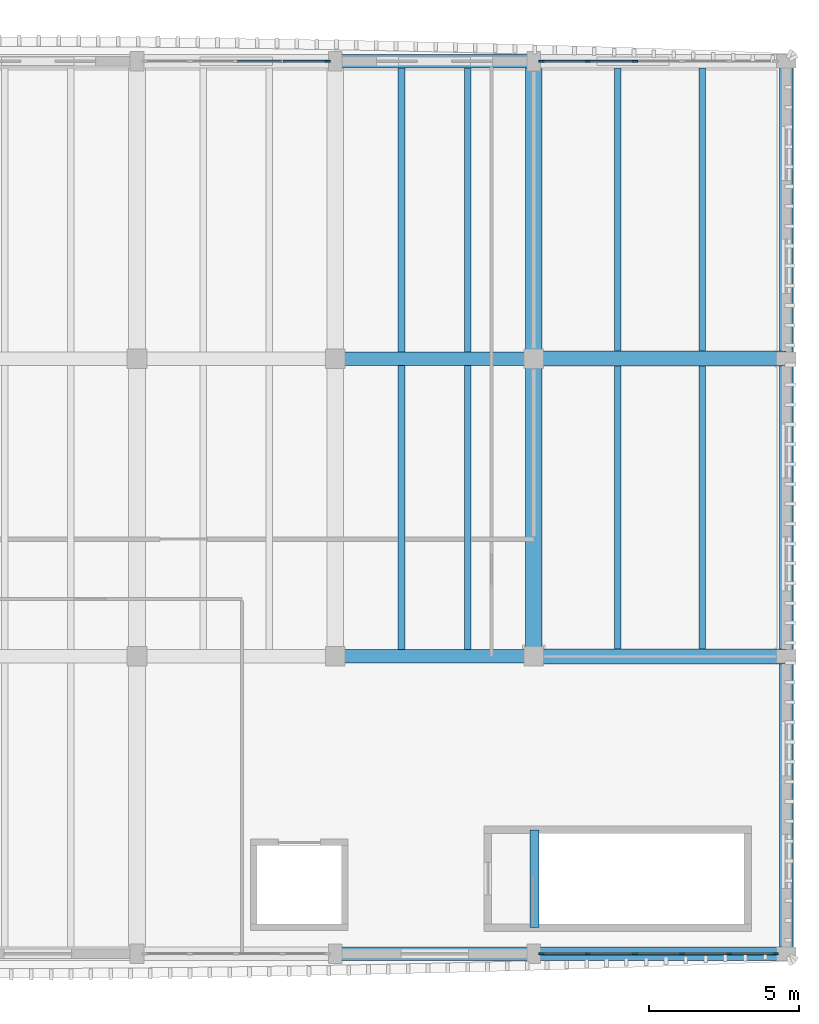
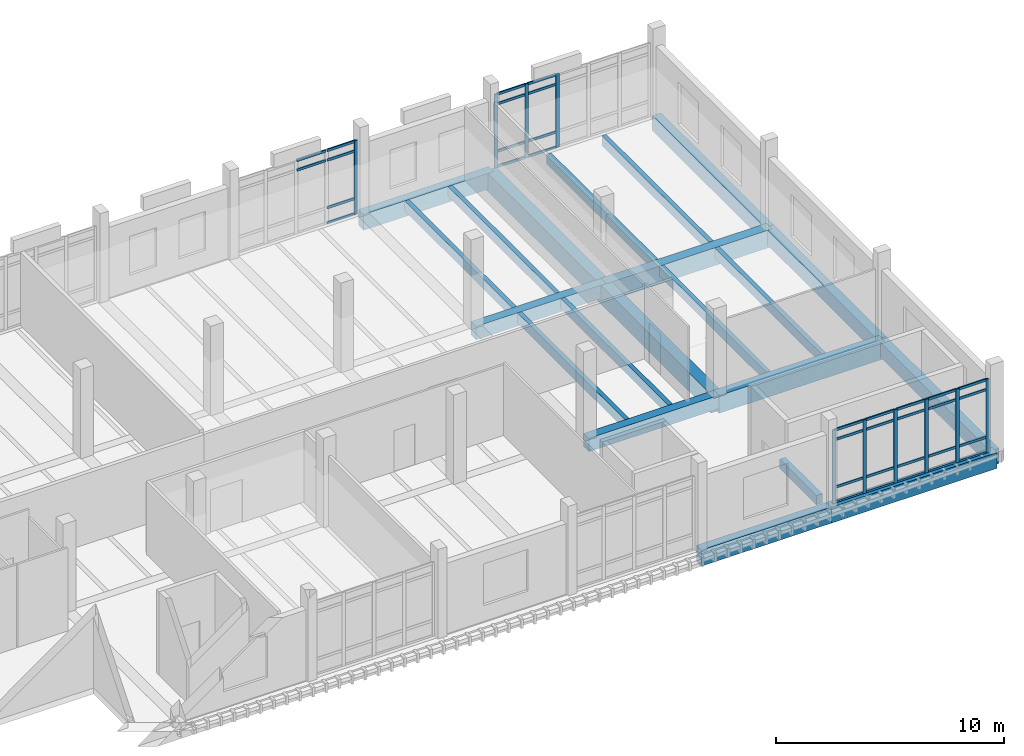
# One storey, part 12 of 37: 44 members, 21 beams, 3 elements without a shape of their own.
"""IFC4 building model written with IfcOpenShell, lengths in metres."""

from ifc_helpers import new_model, si_unit, direction, frame, origin, origin_2d, place, context, subcontext, project, spatial, rectangle, extrude, material, material_profile, profile_set, type_object, element, aggregate, save


model = new_model("IFC4")

# Units and contexts
model_context = context("Model", 3, precision=1e-05, world=origin(), true_north=direction((0.0, 1.0)))
body_context = subcontext(model_context, "Body", "Model", "MODEL_VIEW")
ifc_project = project(units=[si_unit("LENGTHUNIT", "METRE"), si_unit("AREAUNIT", "SQUARE_METRE"), si_unit("VOLUMEUNIT", "CUBIC_METRE"), si_unit("PLANEANGLEUNIT", "RADIAN"), si_unit("MASSUNIT", "GRAM", prefix="KILO")], contexts=[model_context])

# Site, building, storey
site_placement = place(None, origin())
site = spatial("IfcSite", under=ifc_project, at=site_placement, CompositionType="ELEMENT")
building_placement = place(site_placement, origin())
building = spatial("IfcBuilding", under=site, at=building_placement, Name="Dornvale Research Institute", CompositionType="ELEMENT")
storey_placement = place(building_placement, frame((0.0, 0.0, 29.39990234375)))
storey = spatial("IfcBuildingStorey", under=building, at=storey_placement, Name="L06", CompositionType="ELEMENT", Elevation=29.39990234375)

# Beams
ifc_material_1 = material(Name="Concrete f'c 45 MPa (C35/45)", Category="concrete")
ifc_material_profile_1 = material_profile(ifc_material_1, rectangle(XDim=0.300048828125, YDim=0.5, at=origin_2d()), Name="RC 300x500")
ifc_profile_set_1 = profile_set([ifc_material_profile_1], Name="Concrete f'c 45 MPa (C35/45)")
beam_type_1 = type_object("IfcBeamType", Name="Beam_RC300x500_Trim", PredefinedType="BEAM", material=ifc_profile_set_1)
beam_1_placement = place(storey_placement, frame((165.02001953125, 93.280029296875, -0.25), z_axis=(0.0, 1.0, 0.0), x_axis=(-1.0, 0.0, 0.0)))
element("IfcBeam", 1, at=beam_1_placement, inside=storey, type_object=beam_type_1, Name="L06 ST-4 stair landing trimmer beam #68", PredefinedType="BEAM", context=body_context, shape_type="SweptSolid", body=[
    extrude(rectangle(XDim=0.300048828125, YDim=0.5, at=origin_2d()), origin(), (0.0, 0.0, 1.0), 3.239990234375),
])
ifc_material_2 = material(Name="Concrete f'c 45 MPa (C35/45)", Category="concrete")
ifc_material_profile_2 = material_profile(ifc_material_2, rectangle(XDim=0.449951171875, YDim=0.715087890625, at=origin_2d()), Name="RC 450x715")
ifc_profile_set_2 = profile_set([ifc_material_profile_2], Name="Concrete f'c 45 MPa (C35/45)")
beam_type_2 = type_object("IfcBeamType", Name="Beam_RC450x715_Lab", PredefinedType="BEAM", material=ifc_profile_set_2)
for number, where, z_axis, x_axis, name in (
    (2, (158.39990234375, 102.300048828125, -0.357421875), (1.0, 0.0, 0.0), (0.0, 1.0, 0.0), "L06 primary girder #1512"),
    (3, (158.39990234375, 112.199951171875, -0.357421875), (1.0, 0.0, 0.0), (0.0, 1.0, 0.0), "L06 primary girder #1520"),
):
    element("IfcBeam", number, at=place(storey_placement, frame(where, z_axis=z_axis, x_axis=x_axis)), inside=storey, type_object=beam_type_2, Name=name, PredefinedType="BEAM", context=body_context, shape_type="SweptSolid", body=[
        extrude(rectangle(XDim=0.449951171875, YDim=0.715087890625, at=origin_2d()), origin(), (0.0, 0.0, 1.0), 6.60009765625),
    ])
ifc_material_3 = material(Name="Concrete f'c 45 MPa (C35/45)", Category="concrete")
ifc_material_profile_3 = material_profile(ifc_material_3, rectangle(XDim=0.5, YDim=0.949951171875, at=origin_2d()), Name="RC 500x950")
ifc_profile_set_3 = profile_set([ifc_material_profile_3], Name="Concrete f'c 45 MPa (C35/45)")
beam_type_3 = type_object("IfcBeamType", Name="Beam_RC500x950_Girder", PredefinedType="BEAM", material=ifc_profile_set_3)
for number, where, z_axis, x_axis, name in (
    (4, (165.0, 102.300048828125, -0.474853515625), (1.0, 0.0, 0.0), (0.0, 1.0, 0.0), "L06 primary girder #1513"),
    (5, (165.0, 112.199951171875, -0.474853515625), (1.0, 0.0, 0.0), (0.0, 1.0, 0.0), "L06 primary girder #1521"),
):
    element("IfcBeam", number, at=place(storey_placement, frame(where, z_axis=z_axis, x_axis=x_axis)), inside=storey, type_object=beam_type_3, Name=name, PredefinedType="BEAM", context=body_context, shape_type="SweptSolid", body=[
        extrude(rectangle(XDim=0.5, YDim=0.949951171875, at=origin_2d()), origin(), (0.0, 0.0, 1.0), 8.39990234375),
    ])
ifc_material_4 = material(Name="Concrete f'c 45 MPa (C35/45)", Category="concrete")
ifc_material_profile_4 = material_profile(ifc_material_4, rectangle(XDim=0.550048828125, YDim=1.0, at=origin_2d()), Name="RC 550x1000")
ifc_profile_set_4 = profile_set([ifc_material_profile_4], Name="Concrete f'c 45 MPa (C35/45)")
beam_type_4 = type_object("IfcBeamType", Name="Beam_RC550x1000_Girder", PredefinedType="BEAM", material=ifc_profile_set_4)
beam_2_placement = place(storey_placement, frame((165.0, 102.300048828125, -0.5), z_axis=(0.0, 1.0, 0.0), x_axis=(-1.0, 0.0, 0.0)))
element("IfcBeam", 6, at=beam_2_placement, inside=storey, type_object=beam_type_4, Name="L06 transverse girder #1549", PredefinedType="BEAM", context=body_context, shape_type="SweptSolid", body=[
    extrude(rectangle(XDim=0.550048828125, YDim=1.0, at=origin_2d()), origin(), (0.0, 0.0, 1.0), 9.89990234375),
])
beam_3_placement = place(storey_placement, frame((165.0, 112.199951171875, -0.5), z_axis=(0.0, 1.0, 0.0), x_axis=(-1.0, 0.0, 0.0)))
element("IfcBeam", 7, at=beam_3_placement, inside=storey, type_object=beam_type_4, Name="L06 transverse girder #1550", PredefinedType="BEAM", context=body_context, shape_type="SweptSolid", body=[
    extrude(rectangle(XDim=0.550048828125, YDim=1.0, at=origin_2d()), origin(), (0.0, 0.0, 1.0), 9.900146484375),
])
ifc_material_5 = material(Name="Concrete f'c 45 MPa (C35/45)", Category="concrete")
ifc_material_profile_5 = material_profile(ifc_material_5, rectangle(XDim=0.219970703125, YDim=0.534912109375, at=origin_2d()), Name="RC 220x535")
ifc_profile_set_5 = profile_set([ifc_material_profile_5], Name="Concrete f'c 45 MPa (C35/45)")
beam_type_5 = type_object("IfcBeamType", Name="Joist_RC220x535_Waffle", PredefinedType="JOIST", material=ifc_profile_set_5)
for number, where, z_axis, x_axis, name in (
    (8, (160.60009765625, 102.52490234375, -0.267333984375), (0.0, 1.0, 0.0), (-1.0, 0.0, 0.0), "L06 laboratory waffle joist #755"),
    (9, (162.800048828125, 102.52490234375, -0.267333984375), (0.0, 1.0, 0.0), (-1.0, 0.0, 0.0), "L06 laboratory waffle joist #756"),
):
    element("IfcBeam", number, at=place(storey_placement, frame(where, z_axis=z_axis, x_axis=x_axis)), inside=storey, type_object=beam_type_5, Name=name, PredefinedType="JOIST", context=body_context, shape_type="SweptSolid", body=[
        extrude(rectangle(XDim=0.219970703125, YDim=0.534912109375, at=origin_2d()), origin(), (0.0, 0.0, 1.0), 9.4501953125),
    ])
for number, where, z_axis, x_axis, name in (
    (10, (160.60009765625, 112.425048828125, -0.267333984375), (0.0, 1.0, 0.0), (-1.0, 0.0, 0.0), "L06 laboratory waffle joist #757"),
    (11, (162.800048828125, 112.425048828125, -0.267333984375), (0.0, 1.0, 0.0), (-1.0, 0.0, 0.0), "L06 laboratory waffle joist #758"),
):
    element("IfcBeam", number, at=place(storey_placement, frame(where, z_axis=z_axis, x_axis=x_axis)), inside=storey, type_object=beam_type_5, Name=name, PredefinedType="JOIST", context=body_context, shape_type="SweptSolid", body=[
        extrude(rectangle(XDim=0.219970703125, YDim=0.534912109375, at=origin_2d()), origin(), (0.0, 0.0, 1.0), 9.449951171875),
    ])
for number, where, z_axis, x_axis, name in (
    (12, (167.800048828125, 102.550048828125, -0.267333984375), (0.0, 1.0, 0.0), (-1.0, 0.0, 0.0), "L06 laboratory waffle joist #759"),
    (13, (170.60009765625, 102.550048828125, -0.267333984375), (0.0, 1.0, 0.0), (-1.0, 0.0, 0.0), "L06 laboratory waffle joist #760"),
):
    element("IfcBeam", number, at=place(storey_placement, frame(where, z_axis=z_axis, x_axis=x_axis)), inside=storey, type_object=beam_type_5, Name=name, PredefinedType="JOIST", context=body_context, shape_type="SweptSolid", body=[
        extrude(rectangle(XDim=0.219970703125, YDim=0.534912109375, at=origin_2d()), origin(), (0.0, 0.0, 1.0), 9.39990234375),
    ])
for number, where, z_axis, x_axis, name in (
    (14, (167.800048828125, 112.449951171875, -0.267333984375), (0.0, 1.0, 0.0), (-1.0, 0.0, 0.0), "L06 laboratory waffle joist #761"),
    (15, (170.60009765625, 112.449951171875, -0.267333984375), (0.0, 1.0, 0.0), (-1.0, 0.0, 0.0), "L06 laboratory waffle joist #762"),
):
    element("IfcBeam", number, at=place(storey_placement, frame(where, z_axis=z_axis, x_axis=x_axis)), inside=storey, type_object=beam_type_5, Name=name, PredefinedType="JOIST", context=body_context, shape_type="SweptSolid", body=[
        extrude(rectangle(XDim=0.219970703125, YDim=0.534912109375, at=origin_2d()), origin(), (0.0, 0.0, 1.0), 9.425048828125),
    ])

# Curtain wall, member
ifc_material_6 = material(Name="Low-E Argon Double Insulating Glazing Unit", Category="glass")
curtain_wall_type_1 = type_object("IfcCurtainWallType", Name="UnitisedCurtainWall_V4_6150x3950", PredefinedType="USERDEFINED", material=ifc_material_6)
curtain_wall_1_placement = place(storey_placement, origin())
curtain_wall_1 = element("IfcCurtainWall", 16, at=curtain_wall_1_placement, inside=storey, type_object=curtain_wall_type_1, Name="L06 V4 unitised curtain wall CW-15 #119", ObjectType="UNITISED CURTAIN WALL", PredefinedType="USERDEFINED")
ifc_material_7 = material(Name="Anodized Aluminum AA 6063-T6 Thermally Broken Frame", Category="aluminium")
ifc_material_profile_6 = material_profile(ifc_material_7, rectangle(XDim=0.06494140625, YDim=0.179931640625, at=origin_2d()), Name="ALU MULLION 65x180")
ifc_profile_set_6 = profile_set([ifc_material_profile_6], Name="Anodized Aluminum AA 6063-T6 Thermally Broken Frame")
member_type_1 = type_object("IfcMemberType", Name="Mullion_CW_65x180", PredefinedType="MULLION", material=ifc_profile_set_6)
member_1_placement = place(storey_placement, frame((158.142578125, 122.10009765625, 0.0), z_axis=(0.0, 0.0, 1.0), x_axis=(0.0, 1.0, 0.0)))
member_1 = element("IfcMember", 17, at=member_1_placement, type_object=member_type_1, Name="CW-15 mullion 5", PredefinedType="MULLION", context=body_context, shape_type="SweptSolid", body=[
    extrude(rectangle(XDim=0.06494140625, YDim=0.179931640625, at=origin_2d()), origin(), (0.0, 0.0, 1.0), 3.9501953125),
])

# Curtain wall, members
ifc_material_8 = material(Name="Low-E Argon Double Insulating Glazing Unit", Category="glass")
curtain_wall_type_2 = type_object("IfcCurtainWallType", Name="UnitisedCurtainWall_V4_7850x3950", PredefinedType="USERDEFINED", material=ifc_material_8)
curtain_wall_2_placement = place(storey_placement, origin())
curtain_wall_2 = element("IfcCurtainWall", 18, at=curtain_wall_2_placement, inside=storey, type_object=curtain_wall_type_2, Name="L06 V4 unitised curtain wall CW-19 #120", ObjectType="UNITISED CURTAIN WALL", PredefinedType="USERDEFINED")
member_2_placement = place(storey_placement, frame((165.257568359375, 122.10009765625, 0.0), z_axis=(0.0, 0.0, 1.0), x_axis=(0.0, 1.0, 0.0)))
member_2 = element("IfcMember", 19, at=member_2_placement, type_object=member_type_1, Name="CW-19 mullion 1", PredefinedType="MULLION", context=body_context, shape_type="SweptSolid", body=[
    extrude(rectangle(XDim=0.06494140625, YDim=0.179931640625, at=origin_2d()), origin(), (0.0, 0.0, 1.0), 3.9501953125),
])
member_3_placement = place(storey_placement, frame((166.794921875, 122.10009765625, 0.0), z_axis=(0.0, 0.0, 1.0), x_axis=(0.0, 1.0, 0.0)))
member_3 = element("IfcMember", 20, at=member_3_placement, type_object=member_type_1, Name="CW-19 mullion 2", PredefinedType="MULLION", context=body_context, shape_type="SweptSolid", body=[
    extrude(rectangle(XDim=0.06494140625, YDim=0.179931640625, at=origin_2d()), origin(), (0.0, 0.0, 1.0), 3.9501953125),
])
member_4_placement = place(storey_placement, frame((168.364990234375, 122.10009765625, 0.0), z_axis=(0.0, 0.0, 1.0), x_axis=(0.0, 1.0, 0.0)))
member_4 = element("IfcMember", 21, at=member_4_placement, type_object=member_type_1, Name="CW-19 mullion 3", PredefinedType="MULLION", context=body_context, shape_type="SweptSolid", body=[
    extrude(rectangle(XDim=0.06494140625, YDim=0.179931640625, at=origin_2d()), origin(), (0.0, 0.0, 1.0), 3.9501953125),
])

curtain_wall_3_placement = place(storey_placement, origin())
curtain_wall_3 = element("IfcCurtainWall", 22, at=curtain_wall_3_placement, inside=storey, type_object=curtain_wall_type_2, Name="L06 V4 unitised curtain wall CW-19 #121", ObjectType="UNITISED CURTAIN WALL", PredefinedType="USERDEFINED")
member_5_placement = place(storey_placement, frame((173.04248046875, 92.39990234375, 0.0), z_axis=(0.0, 0.0, 1.0), x_axis=(0.0, -1.0, 0.0)))
member_5 = element("IfcMember", 23, at=member_5_placement, type_object=member_type_1, Name="CW-19 mullion 1", PredefinedType="MULLION", context=body_context, shape_type="SweptSolid", body=[
    extrude(rectangle(XDim=0.06494140625, YDim=0.179931640625, at=origin_2d()), origin(), (0.0, 0.0, 1.0), 3.9501953125),
])
member_6_placement = place(storey_placement, frame((171.5048828125, 92.39990234375, 0.0), z_axis=(0.0, 0.0, 1.0), x_axis=(0.0, -1.0, 0.0)))
member_6 = element("IfcMember", 24, at=member_6_placement, type_object=member_type_1, Name="CW-19 mullion 2", PredefinedType="MULLION", context=body_context, shape_type="SweptSolid", body=[
    extrude(rectangle(XDim=0.06494140625, YDim=0.179931640625, at=origin_2d()), origin(), (0.0, 0.0, 1.0), 3.9501953125),
])
member_7_placement = place(storey_placement, frame((169.93505859375, 92.39990234375, 0.0), z_axis=(0.0, 0.0, 1.0), x_axis=(0.0, -1.0, 0.0)))
member_7 = element("IfcMember", 25, at=member_7_placement, type_object=member_type_1, Name="CW-19 mullion 3", PredefinedType="MULLION", context=body_context, shape_type="SweptSolid", body=[
    extrude(rectangle(XDim=0.06494140625, YDim=0.179931640625, at=origin_2d()), origin(), (0.0, 0.0, 1.0), 3.9501953125),
])
member_8_placement = place(storey_placement, frame((168.364990234375, 92.39990234375, 0.0), z_axis=(0.0, 0.0, 1.0), x_axis=(0.0, -1.0, 0.0)))
member_8 = element("IfcMember", 26, at=member_8_placement, type_object=member_type_1, Name="CW-19 mullion 4", PredefinedType="MULLION", context=body_context, shape_type="SweptSolid", body=[
    extrude(rectangle(XDim=0.06494140625, YDim=0.179931640625, at=origin_2d()), origin(), (0.0, 0.0, 1.0), 3.9501953125),
])
member_9_placement = place(storey_placement, frame((166.794921875, 92.39990234375, 0.0), z_axis=(0.0, 0.0, 1.0), x_axis=(0.0, -1.0, 0.0)))
member_9 = element("IfcMember", 27, at=member_9_placement, type_object=member_type_1, Name="CW-19 mullion 5", PredefinedType="MULLION", context=body_context, shape_type="SweptSolid", body=[
    extrude(rectangle(XDim=0.06494140625, YDim=0.179931640625, at=origin_2d()), origin(), (0.0, 0.0, 1.0), 3.9501953125),
])
member_10_placement = place(storey_placement, frame((165.257568359375, 92.39990234375, 0.0), z_axis=(0.0, 0.0, 1.0), x_axis=(0.0, -1.0, 0.0)))
member_10 = element("IfcMember", 28, at=member_10_placement, type_object=member_type_1, Name="CW-19 mullion 6", PredefinedType="MULLION", context=body_context, shape_type="SweptSolid", body=[
    extrude(rectangle(XDim=0.06494140625, YDim=0.179931640625, at=origin_2d()), origin(), (0.0, 0.0, 1.0), 3.9501953125),
])

# Beams
ifc_material_9 = material(Name="Concrete f'c 45 MPa (C35/45)", Category="concrete")
ifc_material_profile_7 = material_profile(ifc_material_9, rectangle(XDim=0.449951171875, YDim=0.800048828125, at=origin_2d()), Name="RC 450x800")
ifc_profile_set_7 = profile_set([ifc_material_profile_7], Name="Concrete f'c 45 MPa (C35/45)")
beam_type_6 = type_object("IfcBeamType", Name="Spandrel_RC450x800_Ext", PredefinedType="SPANDREL", material=ifc_profile_set_7)
beam_4_placement = place(storey_placement, frame((173.39990234375, 92.39990234375, -0.39990234375), z_axis=(0.0, 1.0, 0.0), x_axis=(-1.0, 0.0, 0.0)))
element("IfcBeam", 29, at=beam_4_placement, inside=storey, type_object=beam_type_6, Name="L06 perimeter spandrel #1551", PredefinedType="SPANDREL", context=body_context, shape_type="SweptSolid", body=[
    extrude(rectangle(XDim=0.449951171875, YDim=0.800048828125, at=origin_2d()), origin(), (0.0, 0.0, 1.0), 9.900146484375),
])
beam_5_placement = place(storey_placement, frame((173.39990234375, 102.300048828125, -0.39990234375), z_axis=(0.0, 1.0, 0.0), x_axis=(-1.0, 0.0, 0.0)))
element("IfcBeam", 30, at=beam_5_placement, inside=storey, type_object=beam_type_6, Name="L06 perimeter spandrel #1552", PredefinedType="SPANDREL", context=body_context, shape_type="SweptSolid", body=[
    extrude(rectangle(XDim=0.449951171875, YDim=0.800048828125, at=origin_2d()), origin(), (0.0, 0.0, 1.0), 9.89990234375),
])
beam_6_placement = place(storey_placement, frame((173.39990234375, 112.199951171875, -0.39990234375), z_axis=(0.0, 1.0, 0.0), x_axis=(-1.0, 0.0, 0.0)))
element("IfcBeam", 31, at=beam_6_placement, inside=storey, type_object=beam_type_6, Name="L06 perimeter spandrel #1553", PredefinedType="SPANDREL", context=body_context, shape_type="SweptSolid", body=[
    extrude(rectangle(XDim=0.449951171875, YDim=0.800048828125, at=origin_2d()), origin(), (0.0, 0.0, 1.0), 9.900146484375),
])
ifc_material_10 = material(Name="Concrete f'c 45 MPa (C35/45)", Category="concrete")
ifc_material_profile_8 = material_profile(ifc_material_10, rectangle(XDim=0.449951171875, YDim=0.85009765625, at=origin_2d()), Name="RC 450x850")
ifc_profile_set_8 = profile_set([ifc_material_profile_8], Name="Concrete f'c 45 MPa (C35/45)")
beam_type_7 = type_object("IfcBeamType", Name="Spandrel_RC450x850_Ext", PredefinedType="SPANDREL", material=ifc_profile_set_8)
beam_7_placement = place(storey_placement, frame((158.39990234375, 92.39990234375, -0.4248046875), z_axis=(1.0, 0.0, 0.0), x_axis=(0.0, 1.0, 0.0)))
element("IfcBeam", 32, at=beam_7_placement, inside=storey, type_object=beam_type_7, Name="L06 perimeter spandrel #1504", PredefinedType="SPANDREL", context=body_context, shape_type="SweptSolid", body=[
    extrude(rectangle(XDim=0.449951171875, YDim=0.85009765625, at=origin_2d()), origin(), (0.0, 0.0, 1.0), 6.60009765625),
])
beam_8_placement = place(storey_placement, frame((165.0, 92.39990234375, -0.4248046875), z_axis=(1.0, 0.0, 0.0), x_axis=(0.0, 1.0, 0.0)))
element("IfcBeam", 33, at=beam_8_placement, inside=storey, type_object=beam_type_7, Name="L06 perimeter spandrel #1505", PredefinedType="SPANDREL", context=body_context, shape_type="SweptSolid", body=[
    extrude(rectangle(XDim=0.449951171875, YDim=0.85009765625, at=origin_2d()), origin(), (0.0, 0.0, 1.0), 8.39990234375),
])
beam_9_placement = place(storey_placement, frame((158.39990234375, 122.10009765625, -0.4248046875), z_axis=(1.0, 0.0, 0.0), x_axis=(0.0, 1.0, 0.0)))
element("IfcBeam", 34, at=beam_9_placement, inside=storey, type_object=beam_type_7, Name="L06 perimeter spandrel #1528", PredefinedType="SPANDREL", context=body_context, shape_type="SweptSolid", body=[
    extrude(rectangle(XDim=0.449951171875, YDim=0.85009765625, at=origin_2d()), origin(), (0.0, 0.0, 1.0), 6.60009765625),
])

# Member
ifc_material_11 = material(Name="Anodized Aluminum AA 6063-T6 Thermally Broken Frame", Category="aluminium")
ifc_material_profile_9 = material_profile(ifc_material_11, rectangle(XDim=0.06494140625, YDim=0.135009765625, at=origin_2d()), Name="ALU TRANSOM 65x135")
ifc_profile_set_9 = profile_set([ifc_material_profile_9], Name="Anodized Aluminum AA 6063-T6 Thermally Broken Frame")
member_type_2 = type_object("IfcMemberType", Name="Transom_CW_65x135", PredefinedType="USERDEFINED", material=ifc_profile_set_9)
member_11_placement = place(storey_placement, frame((155.132568359375, 122.10009765625, 3.400146484375), z_axis=(1.0, 0.0, 0.0), x_axis=(0.0, 1.0, 0.0)))
member_11 = element("IfcMember", 35, at=member_11_placement, type_object=member_type_2, Name="CW-15 transom 3.3", ObjectType="TRANSOM", PredefinedType="USERDEFINED", context=body_context, shape_type="SweptSolid", body=[
    extrude(rectangle(XDim=0.06494140625, YDim=0.135009765625, at=origin_2d()), origin(), (0.0, 0.0, 1.0), 1.472412109375),
])

member_12_placement = place(storey_placement, frame((155.132568359375, 122.10009765625, 3.91748046875), z_axis=(1.0, 0.0, 0.0), x_axis=(0.0, 1.0, 0.0)))
member_12 = element("IfcMember", 36, at=member_12_placement, type_object=member_type_2, Name="CW-15 transom 3.4", ObjectType="TRANSOM", PredefinedType="USERDEFINED", context=body_context, shape_type="SweptSolid", body=[
    extrude(rectangle(XDim=0.06494140625, YDim=0.135009765625, at=origin_2d()), origin(), (0.0, 0.0, 1.0), 1.472412109375),
])

member_13_placement = place(storey_placement, frame((156.669921875, 122.10009765625, 0.03271484375), z_axis=(1.0, 0.0, 0.0), x_axis=(0.0, 1.0, 0.0)))
member_13 = element("IfcMember", 37, at=member_13_placement, type_object=member_type_2, Name="CW-15 transom 4.1", ObjectType="TRANSOM", PredefinedType="USERDEFINED", context=body_context, shape_type="SweptSolid", body=[
    extrude(rectangle(XDim=0.06494140625, YDim=0.135009765625, at=origin_2d()), origin(), (0.0, 0.0, 1.0), 1.440185546875),
])

member_14_placement = place(storey_placement, frame((156.669921875, 122.10009765625, 0.85009765625), z_axis=(1.0, 0.0, 0.0), x_axis=(0.0, 1.0, 0.0)))
member_14 = element("IfcMember", 38, at=member_14_placement, type_object=member_type_2, Name="CW-15 transom 4.2", ObjectType="TRANSOM", PredefinedType="USERDEFINED", context=body_context, shape_type="SweptSolid", body=[
    extrude(rectangle(XDim=0.06494140625, YDim=0.135009765625, at=origin_2d()), origin(), (0.0, 0.0, 1.0), 1.440185546875),
])

member_15_placement = place(storey_placement, frame((156.669921875, 122.10009765625, 3.400146484375), z_axis=(1.0, 0.0, 0.0), x_axis=(0.0, 1.0, 0.0)))
member_15 = element("IfcMember", 39, at=member_15_placement, type_object=member_type_2, Name="CW-15 transom 4.3", ObjectType="TRANSOM", PredefinedType="USERDEFINED", context=body_context, shape_type="SweptSolid", body=[
    extrude(rectangle(XDim=0.06494140625, YDim=0.135009765625, at=origin_2d()), origin(), (0.0, 0.0, 1.0), 1.440185546875),
])

member_16_placement = place(storey_placement, frame((156.669921875, 122.10009765625, 3.91748046875), z_axis=(1.0, 0.0, 0.0), x_axis=(0.0, 1.0, 0.0)))
member_16 = element("IfcMember", 40, at=member_16_placement, type_object=member_type_2, Name="CW-15 transom 4.4", ObjectType="TRANSOM", PredefinedType="USERDEFINED", context=body_context, shape_type="SweptSolid", body=[
    extrude(rectangle(XDim=0.06494140625, YDim=0.135009765625, at=origin_2d()), origin(), (0.0, 0.0, 1.0), 1.440185546875),
])

aggregate(curtain_wall_1, [member_1, member_11, member_12, member_13, member_14, member_15, member_16])

member_17_placement = place(storey_placement, frame((165.2900390625, 122.10009765625, 0.03271484375), z_axis=(1.0, 0.0, 0.0), x_axis=(0.0, 1.0, 0.0)))
member_17 = element("IfcMember", 41, at=member_17_placement, type_object=member_type_2, Name="CW-19 transom 1.1", ObjectType="TRANSOM", PredefinedType="USERDEFINED", context=body_context, shape_type="SweptSolid", body=[
    extrude(rectangle(XDim=0.06494140625, YDim=0.135009765625, at=origin_2d()), origin(), (0.0, 0.0, 1.0), 1.472412109375),
])

member_18_placement = place(storey_placement, frame((165.2900390625, 122.10009765625, 0.85009765625), z_axis=(1.0, 0.0, 0.0), x_axis=(0.0, 1.0, 0.0)))
member_18 = element("IfcMember", 42, at=member_18_placement, type_object=member_type_2, Name="CW-19 transom 1.2", ObjectType="TRANSOM", PredefinedType="USERDEFINED", context=body_context, shape_type="SweptSolid", body=[
    extrude(rectangle(XDim=0.06494140625, YDim=0.135009765625, at=origin_2d()), origin(), (0.0, 0.0, 1.0), 1.472412109375),
])

member_19_placement = place(storey_placement, frame((165.2900390625, 122.10009765625, 3.400146484375), z_axis=(1.0, 0.0, 0.0), x_axis=(0.0, 1.0, 0.0)))
member_19 = element("IfcMember", 43, at=member_19_placement, type_object=member_type_2, Name="CW-19 transom 1.3", ObjectType="TRANSOM", PredefinedType="USERDEFINED", context=body_context, shape_type="SweptSolid", body=[
    extrude(rectangle(XDim=0.06494140625, YDim=0.135009765625, at=origin_2d()), origin(), (0.0, 0.0, 1.0), 1.472412109375),
])

member_20_placement = place(storey_placement, frame((165.2900390625, 122.10009765625, 3.91748046875), z_axis=(1.0, 0.0, 0.0), x_axis=(0.0, 1.0, 0.0)))
member_20 = element("IfcMember", 44, at=member_20_placement, type_object=member_type_2, Name="CW-19 transom 1.4", ObjectType="TRANSOM", PredefinedType="USERDEFINED", context=body_context, shape_type="SweptSolid", body=[
    extrude(rectangle(XDim=0.06494140625, YDim=0.135009765625, at=origin_2d()), origin(), (0.0, 0.0, 1.0), 1.472412109375),
])

member_21_placement = place(storey_placement, frame((166.827392578125, 122.10009765625, 0.03271484375), z_axis=(1.0, 0.0, 0.0), x_axis=(0.0, 1.0, 0.0)))
member_21 = element("IfcMember", 45, at=member_21_placement, type_object=member_type_2, Name="CW-19 transom 2.1", ObjectType="TRANSOM", PredefinedType="USERDEFINED", context=body_context, shape_type="SweptSolid", body=[
    extrude(rectangle(XDim=0.06494140625, YDim=0.135009765625, at=origin_2d()), origin(), (0.0, 0.0, 1.0), 1.505126953125),
])

member_22_placement = place(storey_placement, frame((166.827392578125, 122.10009765625, 0.85009765625), z_axis=(1.0, 0.0, 0.0), x_axis=(0.0, 1.0, 0.0)))
member_22 = element("IfcMember", 46, at=member_22_placement, type_object=member_type_2, Name="CW-19 transom 2.2", ObjectType="TRANSOM", PredefinedType="USERDEFINED", context=body_context, shape_type="SweptSolid", body=[
    extrude(rectangle(XDim=0.06494140625, YDim=0.135009765625, at=origin_2d()), origin(), (0.0, 0.0, 1.0), 1.505126953125),
])

member_23_placement = place(storey_placement, frame((166.827392578125, 122.10009765625, 3.400146484375), z_axis=(1.0, 0.0, 0.0), x_axis=(0.0, 1.0, 0.0)))
member_23 = element("IfcMember", 47, at=member_23_placement, type_object=member_type_2, Name="CW-19 transom 2.3", ObjectType="TRANSOM", PredefinedType="USERDEFINED", context=body_context, shape_type="SweptSolid", body=[
    extrude(rectangle(XDim=0.06494140625, YDim=0.135009765625, at=origin_2d()), origin(), (0.0, 0.0, 1.0), 1.505126953125),
])

member_24_placement = place(storey_placement, frame((166.827392578125, 122.10009765625, 3.91748046875), z_axis=(1.0, 0.0, 0.0), x_axis=(0.0, 1.0, 0.0)))
member_24 = element("IfcMember", 48, at=member_24_placement, type_object=member_type_2, Name="CW-19 transom 2.4", ObjectType="TRANSOM", PredefinedType="USERDEFINED", context=body_context, shape_type="SweptSolid", body=[
    extrude(rectangle(XDim=0.06494140625, YDim=0.135009765625, at=origin_2d()), origin(), (0.0, 0.0, 1.0), 1.505126953125),
])

aggregate(curtain_wall_2, [member_2, member_3, member_4, member_17, member_18, member_19, member_20, member_21, member_22, member_23, member_24])

member_25_placement = place(storey_placement, frame((173.010009765625, 92.39990234375, 0.03271484375), z_axis=(-1.0, 0.0, 0.0), x_axis=(0.0, -1.0, 0.0)))
member_25 = element("IfcMember", 49, at=member_25_placement, type_object=member_type_2, Name="CW-19 transom 1.1", ObjectType="TRANSOM", PredefinedType="USERDEFINED", context=body_context, shape_type="SweptSolid", body=[
    extrude(rectangle(XDim=0.06494140625, YDim=0.135009765625, at=origin_2d()), origin(), (0.0, 0.0, 1.0), 1.472412109375),
])

member_26_placement = place(storey_placement, frame((173.010009765625, 92.39990234375, 0.85009765625), z_axis=(-1.0, 0.0, 0.0), x_axis=(0.0, -1.0, 0.0)))
member_26 = element("IfcMember", 50, at=member_26_placement, type_object=member_type_2, Name="CW-19 transom 1.2", ObjectType="TRANSOM", PredefinedType="USERDEFINED", context=body_context, shape_type="SweptSolid", body=[
    extrude(rectangle(XDim=0.06494140625, YDim=0.135009765625, at=origin_2d()), origin(), (0.0, 0.0, 1.0), 1.472412109375),
])

member_27_placement = place(storey_placement, frame((173.010009765625, 92.39990234375, 3.400146484375), z_axis=(-1.0, 0.0, 0.0), x_axis=(0.0, -1.0, 0.0)))
member_27 = element("IfcMember", 51, at=member_27_placement, type_object=member_type_2, Name="CW-19 transom 1.3", ObjectType="TRANSOM", PredefinedType="USERDEFINED", context=body_context, shape_type="SweptSolid", body=[
    extrude(rectangle(XDim=0.06494140625, YDim=0.135009765625, at=origin_2d()), origin(), (0.0, 0.0, 1.0), 1.472412109375),
])

member_28_placement = place(storey_placement, frame((173.010009765625, 92.39990234375, 3.91748046875), z_axis=(-1.0, 0.0, 0.0), x_axis=(0.0, -1.0, 0.0)))
member_28 = element("IfcMember", 52, at=member_28_placement, type_object=member_type_2, Name="CW-19 transom 1.4", ObjectType="TRANSOM", PredefinedType="USERDEFINED", context=body_context, shape_type="SweptSolid", body=[
    extrude(rectangle(XDim=0.06494140625, YDim=0.135009765625, at=origin_2d()), origin(), (0.0, 0.0, 1.0), 1.472412109375),
])

member_29_placement = place(storey_placement, frame((171.472412109375, 92.39990234375, 0.03271484375), z_axis=(-1.0, 0.0, 0.0), x_axis=(0.0, -1.0, 0.0)))
member_29 = element("IfcMember", 53, at=member_29_placement, type_object=member_type_2, Name="CW-19 transom 2.1", ObjectType="TRANSOM", PredefinedType="USERDEFINED", context=body_context, shape_type="SweptSolid", body=[
    extrude(rectangle(XDim=0.06494140625, YDim=0.135009765625, at=origin_2d()), origin(), (0.0, 0.0, 1.0), 1.5048828125),
])

member_30_placement = place(storey_placement, frame((171.472412109375, 92.39990234375, 0.85009765625), z_axis=(-1.0, 0.0, 0.0), x_axis=(0.0, -1.0, 0.0)))
member_30 = element("IfcMember", 54, at=member_30_placement, type_object=member_type_2, Name="CW-19 transom 2.2", ObjectType="TRANSOM", PredefinedType="USERDEFINED", context=body_context, shape_type="SweptSolid", body=[
    extrude(rectangle(XDim=0.06494140625, YDim=0.135009765625, at=origin_2d()), origin(), (0.0, 0.0, 1.0), 1.5048828125),
])

member_31_placement = place(storey_placement, frame((171.472412109375, 92.39990234375, 3.400146484375), z_axis=(-1.0, 0.0, 0.0), x_axis=(0.0, -1.0, 0.0)))
member_31 = element("IfcMember", 55, at=member_31_placement, type_object=member_type_2, Name="CW-19 transom 2.3", ObjectType="TRANSOM", PredefinedType="USERDEFINED", context=body_context, shape_type="SweptSolid", body=[
    extrude(rectangle(XDim=0.06494140625, YDim=0.135009765625, at=origin_2d()), origin(), (0.0, 0.0, 1.0), 1.5048828125),
])

member_32_placement = place(storey_placement, frame((171.472412109375, 92.39990234375, 3.91748046875), z_axis=(-1.0, 0.0, 0.0), x_axis=(0.0, -1.0, 0.0)))
member_32 = element("IfcMember", 56, at=member_32_placement, type_object=member_type_2, Name="CW-19 transom 2.4", ObjectType="TRANSOM", PredefinedType="USERDEFINED", context=body_context, shape_type="SweptSolid", body=[
    extrude(rectangle(XDim=0.06494140625, YDim=0.135009765625, at=origin_2d()), origin(), (0.0, 0.0, 1.0), 1.5048828125),
])

member_33_placement = place(storey_placement, frame((169.902587890625, 92.39990234375, 0.03271484375), z_axis=(-1.0, 0.0, 0.0), x_axis=(0.0, -1.0, 0.0)))
member_33 = element("IfcMember", 57, at=member_33_placement, type_object=member_type_2, Name="CW-19 transom 3.1", ObjectType="TRANSOM", PredefinedType="USERDEFINED", context=body_context, shape_type="SweptSolid", body=[
    extrude(rectangle(XDim=0.06494140625, YDim=0.135009765625, at=origin_2d()), origin(), (0.0, 0.0, 1.0), 1.505126953125),
])

member_34_placement = place(storey_placement, frame((169.902587890625, 92.39990234375, 0.85009765625), z_axis=(-1.0, 0.0, 0.0), x_axis=(0.0, -1.0, 0.0)))
member_34 = element("IfcMember", 58, at=member_34_placement, type_object=member_type_2, Name="CW-19 transom 3.2", ObjectType="TRANSOM", PredefinedType="USERDEFINED", context=body_context, shape_type="SweptSolid", body=[
    extrude(rectangle(XDim=0.06494140625, YDim=0.135009765625, at=origin_2d()), origin(), (0.0, 0.0, 1.0), 1.505126953125),
])

member_35_placement = place(storey_placement, frame((169.902587890625, 92.39990234375, 3.400146484375), z_axis=(-1.0, 0.0, 0.0), x_axis=(0.0, -1.0, 0.0)))
member_35 = element("IfcMember", 59, at=member_35_placement, type_object=member_type_2, Name="CW-19 transom 3.3", ObjectType="TRANSOM", PredefinedType="USERDEFINED", context=body_context, shape_type="SweptSolid", body=[
    extrude(rectangle(XDim=0.06494140625, YDim=0.135009765625, at=origin_2d()), origin(), (0.0, 0.0, 1.0), 1.505126953125),
])

member_36_placement = place(storey_placement, frame((169.902587890625, 92.39990234375, 3.91748046875), z_axis=(-1.0, 0.0, 0.0), x_axis=(0.0, -1.0, 0.0)))
member_36 = element("IfcMember", 60, at=member_36_placement, type_object=member_type_2, Name="CW-19 transom 3.4", ObjectType="TRANSOM", PredefinedType="USERDEFINED", context=body_context, shape_type="SweptSolid", body=[
    extrude(rectangle(XDim=0.06494140625, YDim=0.135009765625, at=origin_2d()), origin(), (0.0, 0.0, 1.0), 1.505126953125),
])

member_37_placement = place(storey_placement, frame((168.33251953125, 92.39990234375, 0.03271484375), z_axis=(-1.0, 0.0, 0.0), x_axis=(0.0, -1.0, 0.0)))
member_37 = element("IfcMember", 61, at=member_37_placement, type_object=member_type_2, Name="CW-19 transom 4.1", ObjectType="TRANSOM", PredefinedType="USERDEFINED", context=body_context, shape_type="SweptSolid", body=[
    extrude(rectangle(XDim=0.06494140625, YDim=0.135009765625, at=origin_2d()), origin(), (0.0, 0.0, 1.0), 1.505126953125),
])

member_38_placement = place(storey_placement, frame((168.33251953125, 92.39990234375, 0.85009765625), z_axis=(-1.0, 0.0, 0.0), x_axis=(0.0, -1.0, 0.0)))
member_38 = element("IfcMember", 62, at=member_38_placement, type_object=member_type_2, Name="CW-19 transom 4.2", ObjectType="TRANSOM", PredefinedType="USERDEFINED", context=body_context, shape_type="SweptSolid", body=[
    extrude(rectangle(XDim=0.06494140625, YDim=0.135009765625, at=origin_2d()), origin(), (0.0, 0.0, 1.0), 1.505126953125),
])

member_39_placement = place(storey_placement, frame((168.33251953125, 92.39990234375, 3.400146484375), z_axis=(-1.0, 0.0, 0.0), x_axis=(0.0, -1.0, 0.0)))
member_39 = element("IfcMember", 63, at=member_39_placement, type_object=member_type_2, Name="CW-19 transom 4.3", ObjectType="TRANSOM", PredefinedType="USERDEFINED", context=body_context, shape_type="SweptSolid", body=[
    extrude(rectangle(XDim=0.06494140625, YDim=0.135009765625, at=origin_2d()), origin(), (0.0, 0.0, 1.0), 1.505126953125),
])

member_40_placement = place(storey_placement, frame((168.33251953125, 92.39990234375, 3.91748046875), z_axis=(-1.0, 0.0, 0.0), x_axis=(0.0, -1.0, 0.0)))
member_40 = element("IfcMember", 64, at=member_40_placement, type_object=member_type_2, Name="CW-19 transom 4.4", ObjectType="TRANSOM", PredefinedType="USERDEFINED", context=body_context, shape_type="SweptSolid", body=[
    extrude(rectangle(XDim=0.06494140625, YDim=0.135009765625, at=origin_2d()), origin(), (0.0, 0.0, 1.0), 1.505126953125),
])

member_41_placement = place(storey_placement, frame((166.762451171875, 92.39990234375, 0.03271484375), z_axis=(-1.0, 0.0, 0.0), x_axis=(0.0, -1.0, 0.0)))
member_41 = element("IfcMember", 65, at=member_41_placement, type_object=member_type_2, Name="CW-19 transom 5.1", ObjectType="TRANSOM", PredefinedType="USERDEFINED", context=body_context, shape_type="SweptSolid", body=[
    extrude(rectangle(XDim=0.06494140625, YDim=0.135009765625, at=origin_2d()), origin(), (0.0, 0.0, 1.0), 1.472412109375),
])

member_42_placement = place(storey_placement, frame((166.762451171875, 92.39990234375, 0.85009765625), z_axis=(-1.0, 0.0, 0.0), x_axis=(0.0, -1.0, 0.0)))
member_42 = element("IfcMember", 66, at=member_42_placement, type_object=member_type_2, Name="CW-19 transom 5.2", ObjectType="TRANSOM", PredefinedType="USERDEFINED", context=body_context, shape_type="SweptSolid", body=[
    extrude(rectangle(XDim=0.06494140625, YDim=0.135009765625, at=origin_2d()), origin(), (0.0, 0.0, 1.0), 1.472412109375),
])

member_43_placement = place(storey_placement, frame((166.762451171875, 92.39990234375, 3.400146484375), z_axis=(-1.0, 0.0, 0.0), x_axis=(0.0, -1.0, 0.0)))
member_43 = element("IfcMember", 67, at=member_43_placement, type_object=member_type_2, Name="CW-19 transom 5.3", ObjectType="TRANSOM", PredefinedType="USERDEFINED", context=body_context, shape_type="SweptSolid", body=[
    extrude(rectangle(XDim=0.06494140625, YDim=0.135009765625, at=origin_2d()), origin(), (0.0, 0.0, 1.0), 1.472412109375),
])

member_44_placement = place(storey_placement, frame((166.762451171875, 92.39990234375, 3.91748046875), z_axis=(-1.0, 0.0, 0.0), x_axis=(0.0, -1.0, 0.0)))
member_44 = element("IfcMember", 68, at=member_44_placement, type_object=member_type_2, Name="CW-19 transom 5.4", ObjectType="TRANSOM", PredefinedType="USERDEFINED", context=body_context, shape_type="SweptSolid", body=[
    extrude(rectangle(XDim=0.06494140625, YDim=0.135009765625, at=origin_2d()), origin(), (0.0, 0.0, 1.0), 1.472412109375),
])

aggregate(curtain_wall_3, [member_5, member_6, member_7, member_8, member_9, member_10, member_25, member_26, member_27, member_28, member_29, member_30, member_31, member_32, member_33, member_34, member_35, member_36, member_37, member_38, member_39, member_40, member_41, member_42, member_43, member_44])

save(model, "model.ifc")
